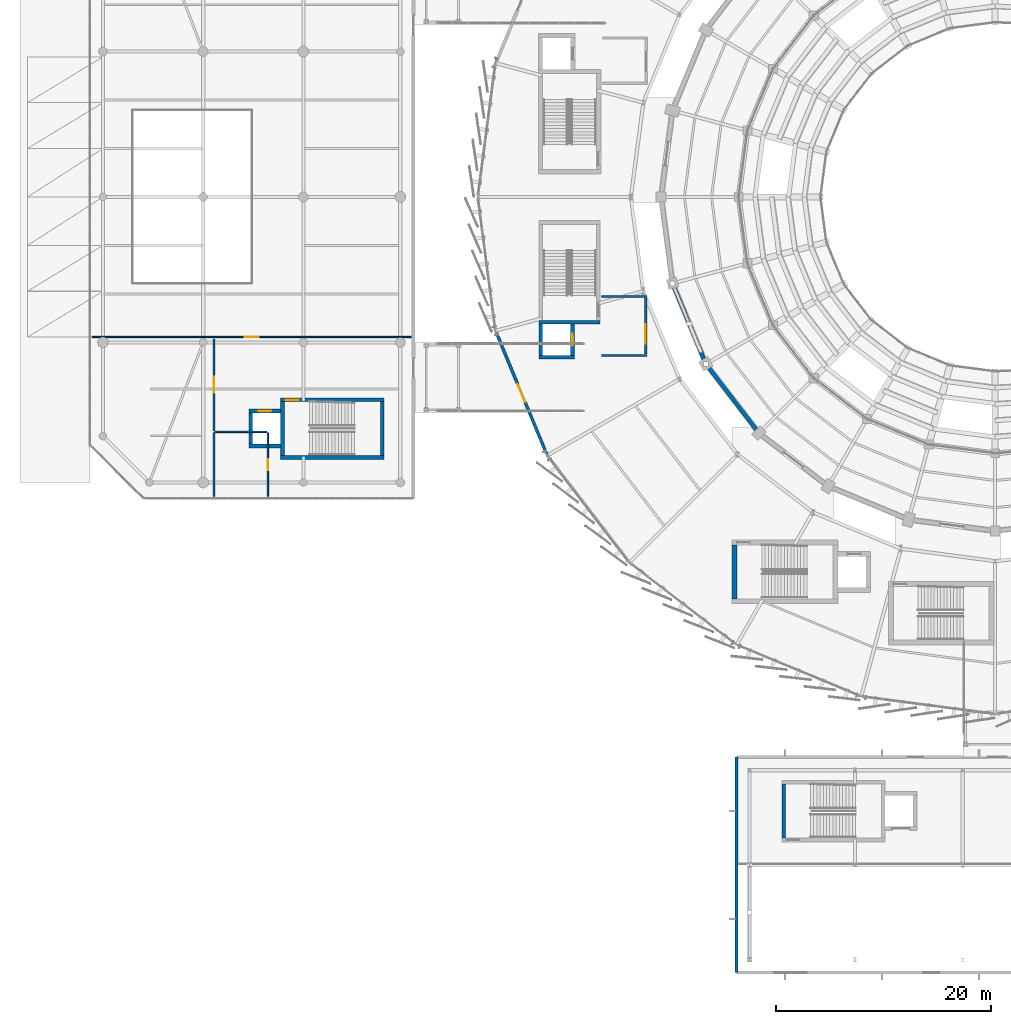
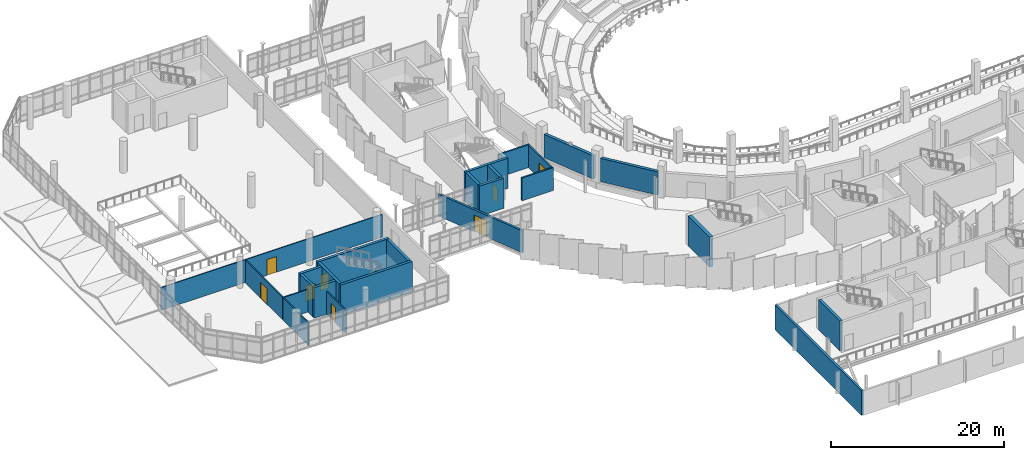
# One storey, part 106 of 134: 25 walls, 8 doors, 8 openings.
"""IFC4 building model written with IfcOpenShell, lengths in metres."""

from ifc_helpers import new_model, si_unit, direction, frame, frame_2d, origin, place, context, subcontext, project, spatial, rectangle, extrude, material, layer, layer_set, type_object, element, fill, save


model = new_model("IFC4")

# Units and contexts
model_context = context("Model", 3, precision=1e-05, world=origin(), true_north=direction((0.0, 1.0)))
body_context = subcontext(model_context, "Body", "Model", "MODEL_VIEW")
ifc_project = project(units=[si_unit("LENGTHUNIT", "METRE"), si_unit("AREAUNIT", "SQUARE_METRE"), si_unit("VOLUMEUNIT", "CUBIC_METRE"), si_unit("PLANEANGLEUNIT", "RADIAN"), si_unit("MASSUNIT", "GRAM", prefix="KILO")], contexts=[model_context])

# Site, building, storey
site_placement = place(None, origin())
site = spatial("IfcSite", under=ifc_project, at=site_placement, CompositionType="ELEMENT")
building_placement = place(site_placement, origin())
building = spatial("IfcBuilding", under=site, at=building_placement, Name="Sohan Crest Arena", CompositionType="ELEMENT")
storey_placement = place(building_placement, frame((0.0, 0.0, 4.5)))
storey = spatial("IfcBuildingStorey", under=building, at=storey_placement, Name="L01", CompositionType="ELEMENT", Elevation=4.5)

# Wall, opening, door
ifc_material_1 = material(Name="Clinker brick and ceramic mosaic envelope wall", Category="masonry")
ifc_layer_1 = layer(ifc_material_1, 0.280029296875, Name="Clinker brick and ceramic mosaic envelope wall")
ifc_layer_set_1 = layer_set([ifc_layer_1], Name="Clinker brick and ceramic mosaic envelope wall")
wall_type_1 = type_object("IfcWallType", Name="WAL-EW02", PredefinedType="SOLIDWALL", material=ifc_layer_set_1)
wall_1_placement = place(storey_placement, frame((51.68603515625, 65.45703125, 0.0), z_axis=(0.0, 0.0, 1.0), x_axis=(0.382625334652, -0.923903595232, 0.0)))
wall_1 = element("IfcWall", 1, at=wall_1_placement, inside=storey, type_object=wall_type_1, Name="External wall EW-089", PredefinedType="SOLIDWALL", context=body_context, shape_type="SweptSolid", body=[
    extrude(rectangle(XDim=12.270751953125, YDim=0.280029296875, at=frame_2d((6.13525390625, 0.0))), origin(), (0.0, 0.0, 1.0), 3.10009765625),
])
opening_1_placement = place(wall_1_placement, frame((5.235107421875, 0.0, 0.0)))
opening_1 = element("IfcOpeningElement", 2, at=opening_1_placement, cuts=wall_1, Name="Opening BD-L01-08", PredefinedType="OPENING", context=body_context, shape_type="SweptSolid", body=[
    extrude(rectangle(XDim=1.800048828125, YDim=2.35009765625, at=frame_2d((0.89990234375, 1.175048828125))), frame((0.0, 0.14990234375, 0.0), z_axis=(0.0, -1.0, 0.0), x_axis=(1.0, 0.0, 0.0)), (0.0, 0.0, 1.0), 0.300048828125),
])
ifc_material_2 = material(Name="Glazed aluminium terrace access door", Category="aluminium")
door_type_1 = type_object("IfcDoorType", Name="DR-ED01", OperationType="DOUBLE_DOOR_SINGLE_SWING", PredefinedType="DOOR", material=ifc_material_2)
door_1_placement = place(opening_1_placement, frame((1.800048828125, 0.0, 0.0), z_axis=(0.0, 0.0, 1.0), x_axis=(-1.0, 0.0, 0.0)))
door_1 = element("IfcDoor", 3, at=door_1_placement, inside=storey, type_object=door_type_1, Name="Covered bridge passage door BD-L01-08", OperationType="DOUBLE_DOOR_SINGLE_SWING", OverallHeight=2.35009765625, OverallWidth=1.800048828125, PredefinedType="DOOR", context=body_context, shape_type="SweptSolid", body=[
    extrude(rectangle(XDim=1.800048828125, YDim=2.35009765625, at=frame_2d((0.89990234375, 1.175048828125))), frame((0.0, 0.02490234375, 0.0), z_axis=(0.0, -1.0, 0.0), x_axis=(1.0, 0.0, 0.0)), (0.0, 0.0, 1.0), 0.050048828125),
])
fill(opening_1, door_1)

# Walls
wall_2_placement = place(storey_placement, frame((74.0, 26.0, 0.0), z_axis=(0.0, 0.0, 1.0), x_axis=(0.0, -1.0, 0.0)))
element("IfcWall", 4, at=wall_2_placement, inside=storey, type_object=wall_type_1, Name="External wall EW-133", PredefinedType="SOLIDWALL", context=body_context, shape_type="SweptSolid", body=[
    extrude(rectangle(XDim=20.0, YDim=0.280029296875, at=frame_2d((10.0, 0.0))), origin(), (0.0, 0.0, 1.0), 3.5),
])
ifc_material_3 = material(Name="Acoustic insulated bowl drum enclosure wall", Category="masonry")
ifc_layer_2 = layer(ifc_material_3, 0.3701171875, Name="Acoustic insulated bowl drum enclosure wall")
ifc_layer_set_2 = layer_set([ifc_layer_2], Name="Acoustic insulated bowl drum enclosure wall")
wall_type_2 = type_object("IfcWallType", Name="WAL-EW05", PredefinedType="SOLIDWALL", material=ifc_layer_set_2)
wall_3_placement = place(storey_placement, frame((68.22412109375, 69.570068359375, 0.0), z_axis=(0.0, 0.0, 1.0), x_axis=(0.382807189089, -0.923828261086, 0.0)))
element("IfcWall", 5, at=wall_3_placement, inside=storey, type_object=wall_type_2, Name="Acoustic bowl drum wall BW-L01-08", PredefinedType="SOLIDWALL", context=body_context, shape_type="SweptSolid", body=[
    extrude(rectangle(XDim=7.21240234375, YDim=0.3701171875, at=frame_2d((3.606201171875, 0.0))), origin(), (0.0, 0.0, 1.0), 3.300048828125),
])
wall_4_placement = place(storey_placement, frame((71.4208984375, 62.15087890625, 0.0), z_axis=(0.0, 0.0, 1.0), x_axis=(0.608807390719, -0.793318070515, 0.0)))
element("IfcWall", 6, at=wall_4_placement, inside=storey, type_object=wall_type_2, Name="Acoustic bowl drum wall BW-L01-09", PredefinedType="SOLIDWALL", context=body_context, shape_type="SweptSolid", body=[
    extrude(rectangle(XDim=7.212646484375, YDim=0.3701171875, at=frame_2d((3.6064453125, 0.0))), origin(), (0.0, 0.0, 1.0), 3.300048828125),
])
ifc_material_4 = material(Name="Fire-rated masonry blockwork compartment wall", Category="masonry")
ifc_layer_3 = layer(ifc_material_4, 0.199951171875, Name="Fire-rated masonry blockwork compartment wall")
ifc_layer_set_3 = layer_set([ifc_layer_3], Name="Fire-rated masonry blockwork compartment wall")
wall_type_3 = type_object("IfcWallType", Name="WAL-FW01", PredefinedType="PARTITIONING", material=ifc_layer_set_3)
for number, where, z_axis, x_axis, name in (
    (7, (61.489990234375, 63.300048828125, 0.0), (0.0, 0.0, 1.0), (1.0, 0.0, 0.0), "Interior partition wall PW-0028"),
    (8, (61.489990234375, 68.75, 0.0), (0.0, 0.0, 1.0), (1.0, 0.0, 0.0), "Interior partition wall PW-0029"),
):
    element("IfcWall", number, at=place(storey_placement, frame(where, z_axis=z_axis, x_axis=x_axis)), inside=storey, type_object=wall_type_3, Name=name, PredefinedType="PARTITIONING", context=body_context, shape_type="SweptSolid", body=[
        extrude(rectangle(XDim=4.179931640625, YDim=0.199951171875, at=frame_2d((2.08984375, 0.0))), origin(), (0.0, 0.0, 1.0), 3.219970703125),
    ])

# Wall, opening, door
wall_5_placement = place(storey_placement, frame((65.570068359375, 63.419921875, 0.0), z_axis=(0.0, 0.0, 1.0), x_axis=(0.0, 1.0, 0.0)))
wall_5 = element("IfcWall", 9, at=wall_5_placement, inside=storey, type_object=wall_type_3, Name="Interior partition wall PW-0030", PredefinedType="PARTITIONING", context=body_context, shape_type="SweptSolid", body=[
    extrude(rectangle(XDim=5.2099609375, YDim=0.199951171875, at=frame_2d((2.60498046875, 0.0))), origin(), (0.0, 0.0, 1.0), 3.219970703125),
])
opening_2_placement = place(wall_5_placement, frame((0.949951171875, 0.0, 0.0)))
opening_2 = element("IfcOpeningElement", 10, at=opening_2_placement, cuts=wall_5, Name="Opening FFL-0009", PredefinedType="OPENING", context=body_context, shape_type="SweptSolid", body=[
    extrude(rectangle(XDim=1.800048828125, YDim=2.199951171875, at=frame_2d((0.89990234375, 1.10009765625))), frame((0.0, 0.10986328125, 0.0), z_axis=(0.0, -1.0, 0.0), x_axis=(1.0, 0.0, 0.0)), (0.0, 0.0, 1.0), 0.219970703125),
])
ifc_material_5 = material(Name="Fire-rated timber-faced lobby double door", Category="wood")
door_type_2 = type_object("IfcDoorType", Name="DR-FD03", OperationType="DOUBLE_DOOR_SINGLE_SWING", PredefinedType="DOOR", material=ifc_material_5)
door_2_placement = place(opening_2_placement, origin())
door_2 = element("IfcDoor", 11, at=door_2_placement, inside=storey, type_object=door_type_2, Name="Firefighting lift lobby door FL01 FFL-0009", OperationType="DOUBLE_DOOR_SINGLE_SWING", OverallHeight=2.199951171875, OverallWidth=1.800048828125, PredefinedType="DOOR", context=body_context, shape_type="SweptSolid", body=[
    extrude(rectangle(XDim=1.800048828125, YDim=2.199951171875, at=frame_2d((0.89990234375, 1.10009765625))), frame((0.0, 0.02490234375, 0.0), z_axis=(0.0, -1.0, 0.0), x_axis=(1.0, 0.0, 0.0)), (0.0, 0.0, 1.0), 0.050048828125),
])
fill(opening_2, door_2)

ifc_material_6 = material(Name="Acoustic gypsum stud room partition", Category="masonry")
ifc_layer_4 = layer(ifc_material_6, 0.1201171875, Name="Acoustic gypsum stud room partition")
ifc_layer_set_4 = layer_set([ifc_layer_4], Name="Acoustic gypsum stud room partition")
wall_type_4 = type_object("IfcWallType", Name="WAL-PW01", PredefinedType="PARTITIONING", material=ifc_layer_set_4)
wall_6_placement = place(storey_placement, frame((14.199951171875, 65.0, 0.0), z_axis=(0.0, 0.0, 1.0), x_axis=(1.0, 0.0, 0.0)))
wall_6 = element("IfcWall", 12, at=wall_6_placement, inside=storey, type_object=wall_type_4, Name="Interior partition wall PW-0885", PredefinedType="PARTITIONING", context=body_context, shape_type="SweptSolid", body=[
    extrude(rectangle(XDim=29.60009765625, YDim=0.1201171875, at=frame_2d((14.800048828125, 0.0))), origin(), (0.0, 0.0, 1.0), 3.219970703125),
])
opening_3_placement = place(wall_6_placement, frame((14.139892578125, 0.0, 0.0)))
opening_3 = element("IfcOpeningElement", 13, at=opening_3_placement, cuts=wall_6, Name="Opening FY-0259", PredefinedType="OPENING", context=body_context, shape_type="SweptSolid", body=[
    extrude(rectangle(XDim=1.320068359375, YDim=2.219970703125, at=frame_2d((0.66015625, 1.10986328125))), frame((0.0, 0.070068359375, 0.0), z_axis=(0.0, -1.0, 0.0), x_axis=(1.0, 0.0, 0.0)), (0.0, 0.0, 1.0), 0.14013671875),
])
ifc_material_7 = material(Name="Solid oak acoustic room door", Category="wood")
door_type_3 = type_object("IfcDoorType", Name="DR-ID13", OperationType="NOTDEFINED", PredefinedType="DOOR", material=ifc_material_7)
door_3_placement = place(opening_3_placement, origin())
door_3 = element("IfcDoor", 14, at=door_3_placement, inside=storey, type_object=door_type_3, Name="VIP Ticketing Salon lobby door FY-0259", OperationType="SINGLE_SWING_LEFT", OverallHeight=2.219970703125, OverallWidth=1.320068359375, PredefinedType="DOOR", context=body_context, shape_type="SweptSolid", body=[
    extrude(rectangle(XDim=1.320068359375, YDim=2.219970703125, at=frame_2d((0.66015625, 1.10986328125))), frame((0.0, 0.02490234375, 0.0), z_axis=(0.0, -1.0, 0.0), x_axis=(1.0, 0.0, 0.0)), (0.0, 0.0, 1.0), 0.050048828125),
])
fill(opening_3, door_3)

ifc_material_8 = material(Name="Wet-area moisture-resistant masonry partition", Category="masonry")
ifc_layer_5 = layer(ifc_material_8, 0.14990234375, Name="Wet-area moisture-resistant masonry partition")
ifc_layer_set_5 = layer_set([ifc_layer_5], Name="Wet-area moisture-resistant masonry partition")
wall_type_5 = type_object("IfcWallType", Name="WAL-PW03", PredefinedType="PARTITIONING", material=ifc_layer_set_5)
wall_7_placement = place(storey_placement, frame((25.5, 56.300048828125, 0.0), z_axis=(0.0, 0.0, 1.0), x_axis=(0.0, 1.0, 0.0)))
wall_7 = element("IfcWall", 15, at=wall_7_placement, inside=storey, type_object=wall_type_5, Name="Interior partition wall PW-0886", PredefinedType="PARTITIONING", context=body_context, shape_type="SweptSolid", body=[
    extrude(rectangle(XDim=8.5, YDim=0.14990234375, at=frame_2d((4.25, 0.0))), origin(), (0.0, 0.0, 1.0), 3.219970703125),
])
opening_4_placement = place(wall_7_placement, frame((3.510009765625, 0.0, 0.0)))
opening_4 = element("IfcOpeningElement", 16, at=opening_4_placement, cuts=wall_7, Name="Opening FY-0260", PredefinedType="OPENING", context=body_context, shape_type="SweptSolid", body=[
    extrude(rectangle(XDim=1.47998046875, YDim=2.239990234375, at=frame_2d((0.739990234375, 1.1201171875))), frame((0.0, 0.0849609375, 0.0), z_axis=(0.0, -1.0, 0.0), x_axis=(1.0, 0.0, 0.0)), (0.0, 0.0, 1.0), 0.169921875),
])
door_type_4 = type_object("IfcDoorType", Name="DR-ID14", OperationType="DOUBLE_DOOR_SINGLE_SWING", PredefinedType="DOOR", material=ifc_material_7)
door_4_placement = place(opening_4_placement, origin())
door_4 = element("IfcDoor", 17, at=door_4_placement, inside=storey, type_object=door_type_4, Name="VIP Ticketing Salon door FY-0260", OperationType="DOUBLE_DOOR_SINGLE_SWING", OverallHeight=2.239990234375, OverallWidth=1.47998046875, PredefinedType="DOOR", context=body_context, shape_type="SweptSolid", body=[
    extrude(rectangle(XDim=1.47998046875, YDim=2.239990234375, at=frame_2d((0.739990234375, 1.1201171875))), frame((0.0, 0.02490234375, 0.0), z_axis=(0.0, -1.0, 0.0), x_axis=(1.0, 0.0, 0.0)), (0.0, 0.0, 1.0), 0.050048828125),
])
fill(opening_4, door_4)

# Wall
wall_8_placement = place(storey_placement, frame((25.5, 50.199951171875, 0.0), z_axis=(0.0, 0.0, 1.0), x_axis=(0.0, 1.0, 0.0)))
element("IfcWall", 18, at=wall_8_placement, inside=storey, type_object=wall_type_5, Name="Interior partition wall PW-0887", PredefinedType="PARTITIONING", context=body_context, shape_type="SweptSolid", body=[
    extrude(rectangle(XDim=5.900146484375, YDim=0.14990234375, at=frame_2d((2.9501953125, 0.0))), origin(), (0.0, 0.0, 1.0), 3.219970703125),
])

# Wall, opening, door
wall_9_placement = place(storey_placement, frame((30.5, 50.199951171875, 0.0), z_axis=(0.0, 0.0, 1.0), x_axis=(0.0, 1.0, 0.0)))
wall_9 = element("IfcWall", 19, at=wall_9_placement, inside=storey, type_object=wall_type_5, Name="Interior partition wall PW-0888", PredefinedType="PARTITIONING", context=body_context, shape_type="SweptSolid", body=[
    extrude(rectangle(XDim=5.900146484375, YDim=0.14990234375, at=frame_2d((2.9501953125, 0.0))), origin(), (0.0, 0.0, 1.0), 3.219970703125),
])
opening_5_placement = place(wall_9_placement, frame((2.43994140625, 0.0, 0.0)))
opening_5 = element("IfcOpeningElement", 20, at=opening_5_placement, cuts=wall_9, Name="Opening WC-0261", PredefinedType="OPENING", context=body_context, shape_type="SweptSolid", body=[
    extrude(rectangle(XDim=1.02001953125, YDim=2.14990234375, at=frame_2d((0.510009765625, 1.074951171875))), frame((0.0, 0.0849609375, 0.0), z_axis=(0.0, -1.0, 0.0), x_axis=(1.0, 0.0, 0.0)), (0.0, 0.0, 1.0), 0.169921875),
])
ifc_material_9 = material(Name="Accessible toilet and dressing room door", Category="wood")
door_type_5 = type_object("IfcDoorType", Name="DR-ID03", OperationType="NOTDEFINED", PredefinedType="DOOR", material=ifc_material_9)
door_5_placement = place(opening_5_placement, origin())
door_5 = element("IfcDoor", 21, at=door_5_placement, inside=storey, type_object=door_type_5, Name="Foyer Accessible WC L01 door WC-0261", OperationType="SINGLE_SWING_RIGHT", OverallHeight=2.14990234375, OverallWidth=1.02001953125, PredefinedType="DOOR", context=body_context, shape_type="SweptSolid", body=[
    extrude(rectangle(XDim=1.02001953125, YDim=2.14990234375, at=frame_2d((0.510009765625, 1.074951171875))), frame((0.0, 0.02490234375, 0.0), z_axis=(0.0, -1.0, 0.0), x_axis=(1.0, 0.0, 0.0)), (0.0, 0.0, 1.0), 0.050048828125),
])
fill(opening_5, door_5)

# Walls
wall_10_placement = place(storey_placement, frame((25.60009765625, 56.199951171875, 0.0), z_axis=(0.0, 0.0, 1.0), x_axis=(1.0, 0.0, 0.0)))
element("IfcWall", 22, at=wall_10_placement, inside=storey, type_object=wall_type_5, Name="Interior partition wall PW-0889", PredefinedType="PARTITIONING", context=body_context, shape_type="SweptSolid", body=[
    extrude(rectangle(XDim=4.7998046875, YDim=0.14990234375, at=frame_2d((2.39990234375, 0.0))), origin(), (0.0, 0.0, 1.0), 3.219970703125),
])
ifc_material_10 = material(Name="Concrete C40/50", Category="concrete")
ifc_layer_6 = layer(ifc_material_10, 0.35009765625, Name="Concrete C40/50")
ifc_layer_set_6 = layer_set([ifc_layer_6], Name="Concrete C40/50")
wall_type_6 = type_object("IfcWallType", Name="WAL-SW02", PredefinedType="SHEAR", material=ifc_layer_set_6)
wall_11_placement = place(storey_placement, frame((55.64990234375, 66.375, 0.0), z_axis=(0.0, 0.0, 1.0), x_axis=(1.0, 0.0, 0.0)))
element("IfcWall", 23, at=wall_11_placement, inside=storey, type_object=wall_type_6, Name="Core shear wall SW-0021", PredefinedType="SHEAR", context=body_context, shape_type="SweptSolid", body=[
    extrude(rectangle(XDim=5.7001953125, YDim=0.35009765625, at=frame_2d((2.85009765625, 0.0))), origin(), (0.0, 0.0, 1.0), 4.25),
])
wall_12_placement = place(storey_placement, frame((55.824951171875, 63.300048828125, 0.0), z_axis=(0.0, 0.0, 1.0), x_axis=(0.0, 1.0, 0.0)))
element("IfcWall", 24, at=wall_12_placement, inside=storey, type_object=wall_type_6, Name="Core shear wall SW-0025", PredefinedType="SHEAR", context=body_context, shape_type="SweptSolid", body=[
    extrude(rectangle(XDim=2.89990234375, YDim=0.35009765625, at=frame_2d((1.449951171875, 0.0))), origin(), (0.0, 0.0, 1.0), 4.25),
])

# Wall, opening, door
wall_13_placement = place(storey_placement, frame((58.77490234375, 63.300048828125, 0.0), z_axis=(0.0, 0.0, 1.0), x_axis=(0.0, 1.0, 0.0)))
wall_13 = element("IfcWall", 25, at=wall_13_placement, inside=storey, type_object=wall_type_6, Name="Core shear wall SW-0026", PredefinedType="SHEAR", context=body_context, shape_type="SweptSolid", body=[
    extrude(rectangle(XDim=2.89990234375, YDim=0.35009765625, at=frame_2d((1.449951171875, 0.0))), origin(), (0.0, 0.0, 1.0), 4.25),
])
opening_6_placement = place(wall_13_placement, frame((0.89990234375, 0.0, 0.0)))
opening_6 = element("IfcOpeningElement", 26, at=opening_6_placement, cuts=wall_13, Name="Opening LD-FL01-L01", PredefinedType="OPENING", context=body_context, shape_type="SweptSolid", body=[
    extrude(rectangle(XDim=1.10009765625, YDim=2.199951171875, at=frame_2d((0.550048828125, 1.10009765625))), frame((0.0, 0.18505859375, 0.0), z_axis=(0.0, -1.0, 0.0), x_axis=(1.0, 0.0, 0.0)), (0.0, 0.0, 1.0), 0.3701171875),
])
ifc_material_11 = material(Name="Stainless steel firefighting lift landing door", Category="steel")
door_type_6 = type_object("IfcDoorType", Name="DR-LD01", OperationType="SLIDING_TO_LEFT", PredefinedType="DOOR", material=ifc_material_11)
door_6_placement = place(opening_6_placement, origin())
door_6 = element("IfcDoor", 27, at=door_6_placement, inside=storey, type_object=door_type_6, Name="Sliding lift landing door LD-FL01-L01", OperationType="SLIDING_TO_LEFT", OverallHeight=2.199951171875, OverallWidth=1.10009765625, PredefinedType="DOOR", context=body_context, shape_type="SweptSolid", body=[
    extrude(rectangle(XDim=1.10009765625, YDim=2.199951171875, at=frame_2d((0.550048828125, 1.10009765625))), frame((0.0, 0.02490234375, 0.0), z_axis=(0.0, -1.0, 0.0), x_axis=(1.0, 0.0, 0.0)), (0.0, 0.0, 1.0), 0.050048828125),
])
fill(opening_6, door_6)

# Walls
wall_14_placement = place(storey_placement, frame((55.64990234375, 63.125, 0.0), z_axis=(0.0, 0.0, 1.0), x_axis=(1.0, 0.0, 0.0)))
element("IfcWall", 28, at=wall_14_placement, inside=storey, type_object=wall_type_6, Name="Core shear wall SW-0027", PredefinedType="SHEAR", context=body_context, shape_type="SweptSolid", body=[
    extrude(rectangle(XDim=3.300048828125, YDim=0.35009765625, at=frame_2d((1.64990234375, 0.0))), origin(), (0.0, 0.0, 1.0), 4.25),
])
for number, where, z_axis, x_axis, name in (
    (29, (31.875, 54.0, 0.0), (0.0, 0.0, 1.0), (0.0, 1.0, 0.0), "Core shear wall SW-0538"),
    (30, (41.125, 54.0, 0.0), (0.0, 0.0, 1.0), (0.0, 1.0, 0.0), "Core shear wall SW-0539"),
):
    element("IfcWall", number, at=place(storey_placement, frame(where, z_axis=z_axis, x_axis=x_axis)), inside=storey, type_object=wall_type_6, Name=name, PredefinedType="SHEAR", context=body_context, shape_type="SweptSolid", body=[
        extrude(rectangle(XDim=5.0, YDim=0.35009765625, at=frame_2d((2.5, 0.0))), origin(), (0.0, 0.0, 1.0), 4.2900390625),
    ])
wall_15_placement = place(storey_placement, frame((31.699951171875, 53.824951171875, 0.0), z_axis=(0.0, 0.0, 1.0), x_axis=(1.0, 0.0, 0.0)))
element("IfcWall", 31, at=wall_15_placement, inside=storey, type_object=wall_type_6, Name="Core shear wall SW-0540", PredefinedType="SHEAR", context=body_context, shape_type="SweptSolid", body=[
    extrude(rectangle(XDim=9.60009765625, YDim=0.35009765625, at=frame_2d((4.800048828125, 0.0))), origin(), (0.0, 0.0, 1.0), 4.2900390625),
])

# Wall, opening, door
wall_16_placement = place(storey_placement, frame((31.699951171875, 59.175048828125, 0.0), z_axis=(0.0, 0.0, 1.0), x_axis=(1.0, 0.0, 0.0)))
wall_16 = element("IfcWall", 32, at=wall_16_placement, inside=storey, type_object=wall_type_6, Name="Core shear wall SW-0541", PredefinedType="SHEAR", context=body_context, shape_type="SweptSolid", body=[
    extrude(rectangle(XDim=9.60009765625, YDim=0.35009765625, at=frame_2d((4.800048828125, 0.0))), origin(), (0.0, 0.0, 1.0), 4.2900390625),
])
opening_7_placement = place(wall_16_placement, frame((0.449951171875, 0.0, 0.0)))
opening_7 = element("IfcOpeningElement", 33, at=opening_7_placement, cuts=wall_16, Name="Opening SD-0147", PredefinedType="OPENING", context=body_context, shape_type="SweptSolid", body=[
    extrude(rectangle(XDim=1.199951171875, YDim=2.199951171875, at=frame_2d((0.60009765625, 1.10009765625))), frame((0.0, 0.18505859375, 0.0), z_axis=(0.0, -1.0, 0.0), x_axis=(1.0, 0.0, 0.0)), (0.0, 0.0, 1.0), 0.3701171875),
])
ifc_material_12 = material(Name="Fire-rated steel stair and lobby door", Category="steel")
door_type_7 = type_object("IfcDoorType", Name="DR-FD04", OperationType="NOTDEFINED", PredefinedType="DOOR", material=ifc_material_12)
door_7_placement = place(opening_7_placement, origin())
door_7 = element("IfcDoor", 34, at=door_7_placement, inside=storey, type_object=door_type_7, Name="Protected stair door SD-0147", OperationType="SINGLE_SWING_RIGHT", OverallHeight=2.199951171875, OverallWidth=1.199951171875, PredefinedType="DOOR", context=body_context, shape_type="SweptSolid", body=[
    extrude(rectangle(XDim=1.199951171875, YDim=2.199951171875, at=frame_2d((0.60009765625, 1.10009765625))), frame((0.0, 0.02490234375, 0.0), z_axis=(0.0, -1.0, 0.0), x_axis=(1.0, 0.0, 0.0)), (0.0, 0.0, 1.0), 0.050048828125),
])
fill(opening_7, door_7)

# Walls
wall_17_placement = place(storey_placement, frame((28.925048828125, 55.050048828125, 0.0), z_axis=(0.0, 0.0, 1.0), x_axis=(0.0, 1.0, 0.0)))
element("IfcWall", 35, at=wall_17_placement, inside=storey, type_object=wall_type_6, Name="Core shear wall SW-0542", PredefinedType="SHEAR", context=body_context, shape_type="SweptSolid", body=[
    extrude(rectangle(XDim=2.89990234375, YDim=0.35009765625, at=frame_2d((1.449951171875, 0.0))), origin(), (0.0, 0.0, 1.0), 4.2900390625),
])
wall_18_placement = place(storey_placement, frame((28.75, 54.875, 0.0), z_axis=(0.0, 0.0, 1.0), x_axis=(1.0, 0.0, 0.0)))
element("IfcWall", 36, at=wall_18_placement, inside=storey, type_object=wall_type_6, Name="Core shear wall SW-0543", PredefinedType="SHEAR", context=body_context, shape_type="SweptSolid", body=[
    extrude(rectangle(XDim=2.949951171875, YDim=0.35009765625, at=frame_2d((1.47509765625, 0.0))), origin(), (0.0, 0.0, 1.0), 4.2900390625),
])

# Wall, opening, door
wall_19_placement = place(storey_placement, frame((28.75, 58.125, 0.0), z_axis=(0.0, 0.0, 1.0), x_axis=(1.0, 0.0, 0.0)))
wall_19 = element("IfcWall", 37, at=wall_19_placement, inside=storey, type_object=wall_type_6, Name="Core shear wall SW-0544", PredefinedType="SHEAR", context=body_context, shape_type="SweptSolid", body=[
    extrude(rectangle(XDim=2.949951171875, YDim=0.35009765625, at=frame_2d((1.47509765625, 0.0))), origin(), (0.0, 0.0, 1.0), 4.2900390625),
])
opening_8_placement = place(wall_19_placement, frame((0.875, 0.0, 0.0)))
opening_8 = element("IfcOpeningElement", 38, at=opening_8_placement, cuts=wall_19, Name="Opening LD-LP09-L01", PredefinedType="OPENING", context=body_context, shape_type="SweptSolid", body=[
    extrude(rectangle(XDim=1.199951171875, YDim=2.199951171875, at=frame_2d((0.60009765625, 1.10009765625))), frame((0.0, 0.18505859375, 0.0), z_axis=(0.0, -1.0, 0.0), x_axis=(1.0, 0.0, 0.0)), (0.0, 0.0, 1.0), 0.3701171875),
])
ifc_material_13 = material(Name="Stainless steel passenger lift landing door", Category="steel")
door_type_8 = type_object("IfcDoorType", Name="DR-LD02", OperationType="SLIDING_TO_LEFT", PredefinedType="DOOR", material=ifc_material_13)
door_8_placement = place(opening_8_placement, origin())
door_8 = element("IfcDoor", 39, at=door_8_placement, inside=storey, type_object=door_type_8, Name="Sliding lift landing door LD-LP09-L01", OperationType="SLIDING_TO_LEFT", OverallHeight=2.199951171875, OverallWidth=1.199951171875, PredefinedType="DOOR", context=body_context, shape_type="SweptSolid", body=[
    extrude(rectangle(XDim=1.199951171875, YDim=2.199951171875, at=frame_2d((0.60009765625, 1.10009765625))), frame((0.0, 0.02490234375, 0.0), z_axis=(0.0, -1.0, 0.0), x_axis=(1.0, 0.0, 0.0)), (0.0, 0.0, 1.0), 0.050048828125),
])
fill(opening_8, door_8)

# Walls
wall_20_placement = place(storey_placement, frame((78.375, 18.5, 0.0), z_axis=(0.0, 0.0, 1.0), x_axis=(0.0, 1.0, 0.0)))
element("IfcWall", 40, at=wall_20_placement, inside=storey, type_object=wall_type_6, Name="Core shear wall SW-0663", PredefinedType="SHEAR", context=body_context, shape_type="SweptSolid", body=[
    extrude(rectangle(XDim=5.0, YDim=0.35009765625, at=frame_2d((2.5, 0.0))), origin(), (0.0, 0.0, 1.0), 4.25),
])
ifc_layer_7 = layer(ifc_material_10, 0.449951171875, Name="Concrete C40/50")
ifc_layer_set_7 = layer_set([ifc_layer_7], Name="Concrete C40/50")
wall_type_7 = type_object("IfcWallType", Name="WAL-SW04", PredefinedType="SHEAR", material=ifc_layer_set_7)
wall_21_placement = place(storey_placement, frame((73.824951171875, 40.699951171875, 0.0), z_axis=(0.0, 0.0, 1.0), x_axis=(0.0, 1.0, 0.0)))
element("IfcWall", 41, at=wall_21_placement, inside=storey, type_object=wall_type_7, Name="Core shear wall SW-0155", PredefinedType="SHEAR", context=body_context, shape_type="SweptSolid", body=[
    extrude(rectangle(XDim=5.0, YDim=0.449951171875, at=frame_2d((2.5, 0.0))), origin(), (0.0, 0.0, 1.0), 4.25),
])

save(model, "model.ifc")
